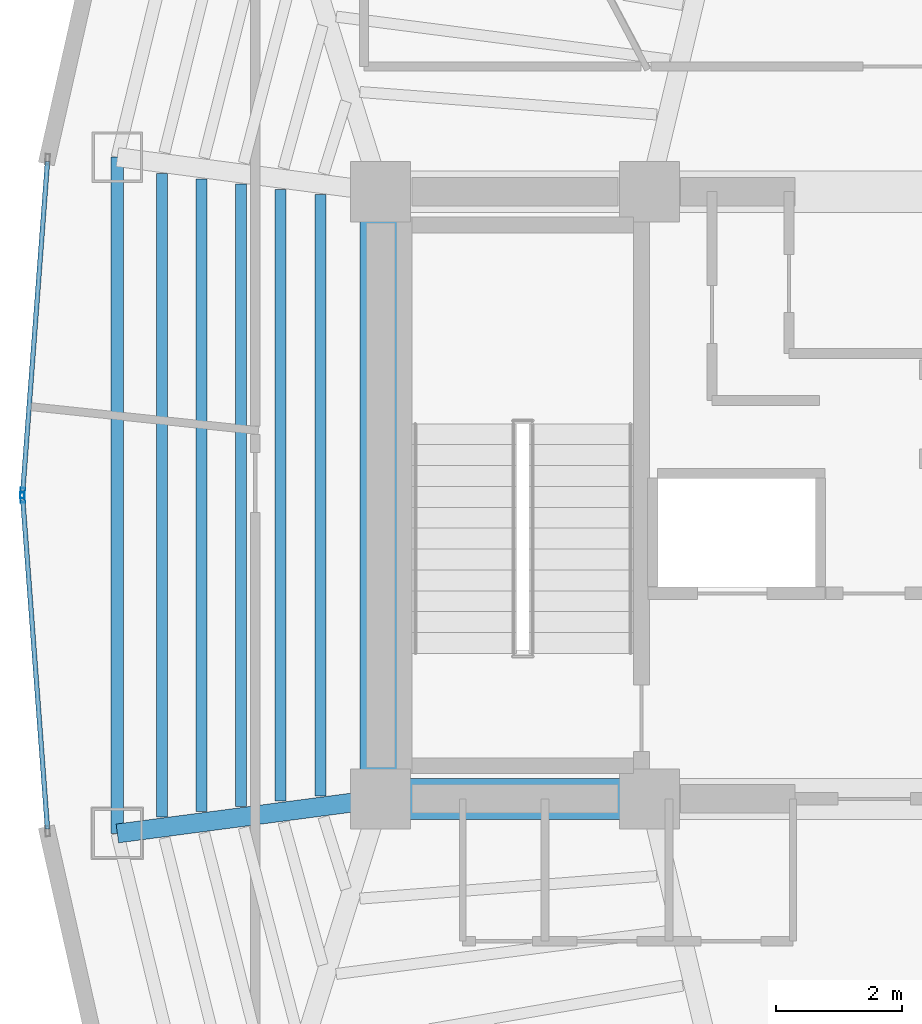
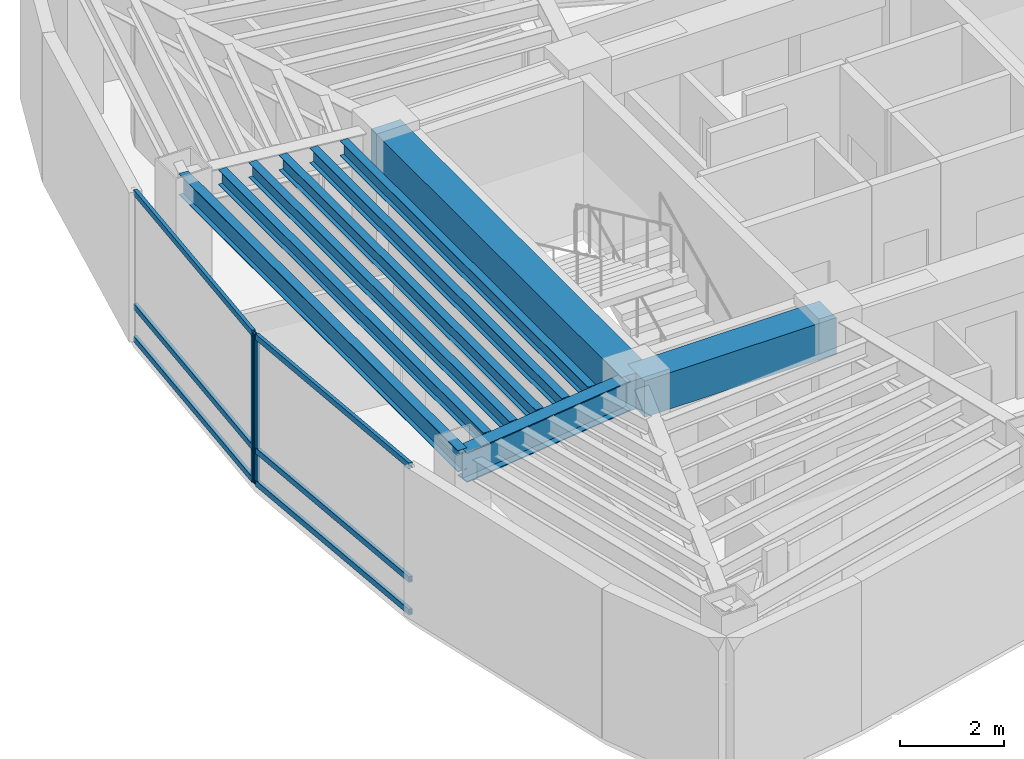
# One storey, part 4 of 15: 9 beams, 8 members, 2 elements without a shape of their own.
"""IFC4 building model written with IfcOpenShell, lengths in metres."""

from ifc_helpers import new_model, si_unit, direction, frame, origin, origin_2d, place, context, subcontext, project, spatial, rectangle, hollow_rectangle, i_section, extrude, material, layer, layer_set, material_profile, profile_set, type_object, element, aggregate, save


model = new_model("IFC4")

# Units and contexts
model_context = context("Model", 3, precision=1e-05, world=origin(), true_north=direction((0.0, 1.0)))
body_context = subcontext(model_context, "Body", "Model", "MODEL_VIEW")
ifc_project = project(units=[si_unit("LENGTHUNIT", "METRE"), si_unit("AREAUNIT", "SQUARE_METRE"), si_unit("VOLUMEUNIT", "CUBIC_METRE"), si_unit("PLANEANGLEUNIT", "RADIAN"), si_unit("MASSUNIT", "GRAM", prefix="KILO")], contexts=[model_context])

# Site, building, storey
site_placement = place(None, origin())
site = spatial("IfcSite", under=ifc_project, at=site_placement, CompositionType="ELEMENT")
building_placement = place(site_placement, origin())
building = spatial("IfcBuilding", under=site, at=building_placement, Name="Menara Vayukalpa", CompositionType="ELEMENT")
storey_placement = place(building_placement, frame((0.0, 0.0, 254.580078125)))
storey = spatial("IfcBuildingStorey", under=building, at=storey_placement, Name="L64", CompositionType="ELEMENT", Elevation=254.580078125)

# Beams
ifc_material_1 = material(Name="Concrete C60/75", Category="concrete")
ifc_material_profile_1 = material_profile(ifc_material_1, rectangle(XDim=0.64990234375, YDim=0.85009765625, at=origin_2d()), Name="RC 650x850")
ifc_profile_set_1 = profile_set([ifc_material_profile_1], Name="Concrete C60/75")
beam_type_1 = type_object("IfcBeamType", Name="BM-CB1", PredefinedType="BEAM", material=ifc_profile_set_1)
beam_1_placement = place(storey_placement, frame((17.800048828125, 17.199951171875, 3.074951171875), z_axis=(1.0, 0.0, 0.0), x_axis=(0.0, 1.0, 0.0)))
element("IfcBeam", 1, at=beam_1_placement, inside=storey, type_object=beam_type_1, Name="L64 Core Tie Beam CBR1", PredefinedType="BEAM", context=body_context, shape_type="SweptSolid", body=[
    extrude(rectangle(XDim=0.64990234375, YDim=0.85009765625, at=origin_2d()), origin(), (0.0, 0.0, 1.0), 4.25),
])
beam_2_placement = place(storey_placement, frame((17.800048828125, 17.199951171875, 3.074951171875), z_axis=(0.0, 1.0, 0.0), x_axis=(-1.0, 0.0, 0.0)))
element("IfcBeam", 2, at=beam_2_placement, inside=storey, type_object=beam_type_1, Name="L64 Core Tie Beam CBR7", PredefinedType="BEAM", context=body_context, shape_type="SweptSolid", body=[
    extrude(rectangle(XDim=0.64990234375, YDim=0.85009765625, at=origin_2d()), origin(), (0.0, 0.0, 1.0), 9.60009765625),
])
ifc_material_2 = material(Name="Steel S355", Category="steel")
ifc_material_profile_2 = material_profile(ifc_material_2, i_section(OverallWidth=0.300048828125, OverallDepth=0.699951171875, WebThickness=0.012939453125, FlangeThickness=0.02392578125, at=origin_2d()), Name="WF 700x300x13x24")
ifc_profile_set_2 = profile_set([ifc_material_profile_2], Name="Steel S355")
beam_type_2 = type_object("IfcBeamType", Name="BM-PG5", PredefinedType="BEAM", material=ifc_profile_set_2)
beam_3_placement = place(storey_placement, frame((17.552001953125, 17.16748046875, 3.14990234375), z_axis=(-0.991477860763, -0.130275291662, 0.0), x_axis=(0.130275291662, -0.991477860763, 0.0)))
element("IfcBeam", 3, at=beam_3_placement, inside=storey, type_object=beam_type_2, Name="L64 Primary Radial Girder RG06", PredefinedType="BEAM", context=body_context, shape_type="SweptSolid", body=[
    extrude(i_section(OverallWidth=0.300048828125, OverallDepth=0.699951171875, WebThickness=0.012939453125, FlangeThickness=0.02392578125, at=origin_2d()), origin(), (0.0, 0.0, 1.0), 3.94677734375),
])
ifc_material_3 = material(Name="Steel S355", Category="steel")
ifc_material_profile_3 = material_profile(ifc_material_3, i_section(OverallWidth=0.175048828125, OverallDepth=0.35009765625, WebThickness=0.007080078125, FlangeThickness=0.010986328125, at=origin_2d()), Name="WF 350x175x7x11")
ifc_profile_set_3 = profile_set([ifc_material_profile_3], Name="Steel S355")
beam_type_3 = type_object("IfcBeamType", Name="BM-SJ3", PredefinedType="JOIST", material=ifc_profile_set_3)
beam_4_placement = place(storey_placement, frame((16.84765625, 26.755126953125, 3.324951171875), z_axis=(0.0, -1.0, 0.0), x_axis=(1.0, 0.0, 0.0)))
element("IfcBeam", 4, at=beam_4_placement, inside=storey, type_object=beam_type_3, Name="L64 Secondary Floor Joist SJ05-1", PredefinedType="JOIST", context=body_context, shape_type="SweptSolid", body=[
    extrude(i_section(OverallWidth=0.175048828125, OverallDepth=0.35009765625, WebThickness=0.007080078125, FlangeThickness=0.010986328125, at=origin_2d()), origin(), (0.0, 0.0, 1.0), 9.51025390625),
])
beam_5_placement = place(storey_placement, frame((16.2216796875, 26.83740234375, 3.324951171875), z_axis=(0.0, -1.0, 0.0), x_axis=(1.0, 0.0, 0.0)))
element("IfcBeam", 5, at=beam_5_placement, inside=storey, type_object=beam_type_3, Name="L64 Secondary Floor Joist SJ05-2", PredefinedType="JOIST", context=body_context, shape_type="SweptSolid", body=[
    extrude(i_section(OverallWidth=0.175048828125, OverallDepth=0.35009765625, WebThickness=0.007080078125, FlangeThickness=0.010986328125, at=origin_2d()), origin(), (0.0, 0.0, 1.0), 9.6748046875),
])
beam_6_placement = place(storey_placement, frame((15.595458984375, 26.919677734375, 3.324951171875), z_axis=(0.0, -1.0, 0.0), x_axis=(1.0, 0.0, 0.0)))
element("IfcBeam", 6, at=beam_6_placement, inside=storey, type_object=beam_type_3, Name="L64 Secondary Floor Joist SJ05-3", PredefinedType="JOIST", context=body_context, shape_type="SweptSolid", body=[
    extrude(i_section(OverallWidth=0.175048828125, OverallDepth=0.35009765625, WebThickness=0.007080078125, FlangeThickness=0.010986328125, at=origin_2d()), origin(), (0.0, 0.0, 1.0), 9.83935546875),
])
beam_7_placement = place(storey_placement, frame((14.969482421875, 27.001953125, 3.324951171875), z_axis=(0.0, -1.0, 0.0), x_axis=(1.0, 0.0, 0.0)))
element("IfcBeam", 7, at=beam_7_placement, inside=storey, type_object=beam_type_3, Name="L64 Secondary Floor Joist SJ05-4", PredefinedType="JOIST", context=body_context, shape_type="SweptSolid", body=[
    extrude(i_section(OverallWidth=0.175048828125, OverallDepth=0.35009765625, WebThickness=0.007080078125, FlangeThickness=0.010986328125, at=origin_2d()), origin(), (0.0, 0.0, 1.0), 10.00390625),
])
beam_8_placement = place(storey_placement, frame((14.343505859375, 27.084228515625, 3.324951171875), z_axis=(0.0, -1.0, 0.0), x_axis=(1.0, 0.0, 0.0)))
element("IfcBeam", 8, at=beam_8_placement, inside=storey, type_object=beam_type_3, Name="L64 Secondary Floor Joist SJ05-5", PredefinedType="JOIST", context=body_context, shape_type="SweptSolid", body=[
    extrude(i_section(OverallWidth=0.175048828125, OverallDepth=0.35009765625, WebThickness=0.007080078125, FlangeThickness=0.010986328125, at=origin_2d()), origin(), (0.0, 0.0, 1.0), 10.16845703125),
])
ifc_material_4 = material(Name="Steel S355", Category="steel")
ifc_material_profile_4 = material_profile(ifc_material_4, i_section(OverallWidth=0.199951171875, OverallDepth=0.5, WebThickness=0.010009765625, FlangeThickness=0.01611328125, at=origin_2d()), Name="WF 500x200x10x16")
ifc_profile_set_4 = profile_set([ifc_material_profile_4], Name="Steel S355")
beam_type_4 = type_object("IfcBeamType", Name="BM-SP3", PredefinedType="SPANDREL", material=ifc_profile_set_4)
beam_9_placement = place(storey_placement, frame((13.638916015625, 27.3466796875, 3.25), z_axis=(0.0, -1.0, 0.0), x_axis=(1.0, 0.0, 0.0)))
element("IfcBeam", 9, at=beam_9_placement, inside=storey, type_object=beam_type_4, Name="L64 Perimeter Spandrel Beam SP05", PredefinedType="SPANDREL", context=body_context, shape_type="SweptSolid", body=[
    extrude(i_section(OverallWidth=0.199951171875, OverallDepth=0.5, WebThickness=0.010009765625, FlangeThickness=0.01611328125, at=origin_2d()), origin(), (0.0, 0.0, 1.0), 10.693359375),
])

# Curtain wall, member
ifc_material_5 = material(Name="Anodised Terracotta Aluminium Alloy 6063-T6", Category="masonry")
ifc_layer = layer(ifc_material_5, 0.1650390625)
ifc_layer_set = layer_set([ifc_layer], Name="Anodised Terracotta Aluminium Alloy 6063-T6")
curtain_wall_type = type_object("IfcCurtainWallType", Name="CW-CW6", PredefinedType="USERDEFINED", material=ifc_layer_set)
curtain_wall_1_placement = place(storey_placement, origin())
curtain_wall_1 = element("IfcCurtainWall", 10, at=curtain_wall_1_placement, inside=storey, type_object=curtain_wall_type, Name="L64 Observation and Executive Curtain Wall CW6 10", ObjectType="UNITISED", PredefinedType="USERDEFINED")
ifc_material_6 = material(Name="Anodised Terracotta Aluminium Alloy 6063-T6", Category="masonry")
ifc_material_profile_5 = material_profile(ifc_material_6, hollow_rectangle(XDim=0.070068359375, YDim=0.1650390625, WallThickness=0.00390625, at=origin_2d()), Name="ALU 70x165x4")
ifc_profile_set_5 = profile_set([ifc_material_profile_5], Name="Anodised Terracotta Aluminium Alloy 6063-T6")
member_type_1 = type_object("IfcMemberType", Name="CWM-CW6", PredefinedType="MULLION", material=ifc_profile_set_5)
member_1_placement = place(storey_placement, frame((12.140625, 22.034912109375, 0.0), z_axis=(0.0, 0.0, 1.0), x_axis=(0.997199344663, -0.074789484574, 0.0)))
member_1 = element("IfcMember", 11, at=member_1_placement, type_object=member_type_1, Name="CW6 mullion 2", PredefinedType="MULLION", context=body_context, shape_type="SweptSolid", body=[
    extrude(hollow_rectangle(XDim=0.070068359375, YDim=0.1650390625, WallThickness=0.00390625, at=origin_2d()), origin(), (0.0, 0.0, 1.0), 3.5),
])

curtain_wall_2_placement = place(storey_placement, origin())
curtain_wall_2 = element("IfcCurtainWall", 12, at=curtain_wall_2_placement, inside=storey, type_object=curtain_wall_type, Name="L64 Observation and Executive Curtain Wall CW6 11", ObjectType="UNITISED", PredefinedType="USERDEFINED")
member_2_placement = place(storey_placement, frame((12.140625, 21.965087890625, 0.0), z_axis=(0.0, 0.0, 1.0), x_axis=(0.997199344663, 0.074789484574, 0.0)))
member_2 = element("IfcMember", 13, at=member_2_placement, type_object=member_type_1, Name="CW6 mullion 1", PredefinedType="MULLION", context=body_context, shape_type="SweptSolid", body=[
    extrude(hollow_rectangle(XDim=0.070068359375, YDim=0.1650390625, WallThickness=0.00390625, at=origin_2d()), origin(), (0.0, 0.0, 1.0), 3.5),
])

# Member
ifc_material_7 = material(Name="Anodised Terracotta Aluminium Alloy 6063-T6", Category="masonry")
ifc_material_profile_6 = material_profile(ifc_material_7, hollow_rectangle(XDim=0.074951171875, YDim=0.135009765625, WallThickness=0.00390625, at=origin_2d()), Name="ALU 75x135x4")
ifc_profile_set_6 = profile_set([ifc_material_profile_6], Name="Anodised Terracotta Aluminium Alloy 6063-T6")
member_type_2 = type_object("IfcMemberType", Name="CWT-CW6", PredefinedType="USERDEFINED", material=ifc_profile_set_6)
member_3_placement = place(storey_placement, frame((12.53369140625, 27.27685546875, 0.037353515625), z_axis=(-0.074762051827, -0.997201401727, 0.0), x_axis=(0.997201401727, -0.074762051827, 0.0)))
member_3 = element("IfcMember", 14, at=member_3_placement, type_object=member_type_2, Name="CW6 transom 1.1", ObjectType="TRANSOM", PredefinedType="USERDEFINED", context=body_context, shape_type="SweptSolid", body=[
    extrude(hollow_rectangle(XDim=0.074951171875, YDim=0.135009765625, WallThickness=0.00390625, at=origin_2d()), origin(), (0.0, 0.0, 1.0), 5.2216796875),
])

member_4_placement = place(storey_placement, frame((12.53369140625, 27.27685546875, 0.7998046875), z_axis=(-0.074762051827, -0.997201401727, 0.0), x_axis=(0.997201401727, -0.074762051827, 0.0)))
member_4 = element("IfcMember", 15, at=member_4_placement, type_object=member_type_2, Name="CW6 transom 1.2", ObjectType="TRANSOM", PredefinedType="USERDEFINED", context=body_context, shape_type="SweptSolid", body=[
    extrude(hollow_rectangle(XDim=0.074951171875, YDim=0.135009765625, WallThickness=0.00390625, at=origin_2d()), origin(), (0.0, 0.0, 1.0), 5.2216796875),
])

member_5_placement = place(storey_placement, frame((12.53369140625, 27.27685546875, 3.46240234375), z_axis=(-0.074762051827, -0.997201401727, 0.0), x_axis=(0.997201401727, -0.074762051827, 0.0)))
member_5 = element("IfcMember", 16, at=member_5_placement, type_object=member_type_2, Name="CW6 transom 1.3", ObjectType="TRANSOM", PredefinedType="USERDEFINED", context=body_context, shape_type="SweptSolid", body=[
    extrude(hollow_rectangle(XDim=0.074951171875, YDim=0.135009765625, WallThickness=0.00390625, at=origin_2d()), origin(), (0.0, 0.0, 1.0), 5.2216796875),
])

aggregate(curtain_wall_1, [member_1, member_3, member_4, member_5])

member_6_placement = place(storey_placement, frame((12.143310546875, 21.93017578125, 0.037353515625), z_axis=(0.074762051827, -0.997201401727, 0.0), x_axis=(0.997201401727, 0.074762051827, 0.0)))
member_6 = element("IfcMember", 17, at=member_6_placement, type_object=member_type_2, Name="CW6 transom 1.1", ObjectType="TRANSOM", PredefinedType="USERDEFINED", context=body_context, shape_type="SweptSolid", body=[
    extrude(hollow_rectangle(XDim=0.074951171875, YDim=0.135009765625, WallThickness=0.00390625, at=origin_2d()), origin(), (0.0, 0.0, 1.0), 5.2216796875),
])

member_7_placement = place(storey_placement, frame((12.143310546875, 21.93017578125, 0.7998046875), z_axis=(0.074762051827, -0.997201401727, 0.0), x_axis=(0.997201401727, 0.074762051827, 0.0)))
member_7 = element("IfcMember", 18, at=member_7_placement, type_object=member_type_2, Name="CW6 transom 1.2", ObjectType="TRANSOM", PredefinedType="USERDEFINED", context=body_context, shape_type="SweptSolid", body=[
    extrude(hollow_rectangle(XDim=0.074951171875, YDim=0.135009765625, WallThickness=0.00390625, at=origin_2d()), origin(), (0.0, 0.0, 1.0), 5.2216796875),
])

member_8_placement = place(storey_placement, frame((12.143310546875, 21.93017578125, 3.46240234375), z_axis=(0.074762051827, -0.997201401727, 0.0), x_axis=(0.997201401727, 0.074762051827, 0.0)))
member_8 = element("IfcMember", 19, at=member_8_placement, type_object=member_type_2, Name="CW6 transom 1.3", ObjectType="TRANSOM", PredefinedType="USERDEFINED", context=body_context, shape_type="SweptSolid", body=[
    extrude(hollow_rectangle(XDim=0.074951171875, YDim=0.135009765625, WallThickness=0.00390625, at=origin_2d()), origin(), (0.0, 0.0, 1.0), 5.2216796875),
])

aggregate(curtain_wall_2, [member_2, member_6, member_7, member_8])

save(model, "model.ifc")
